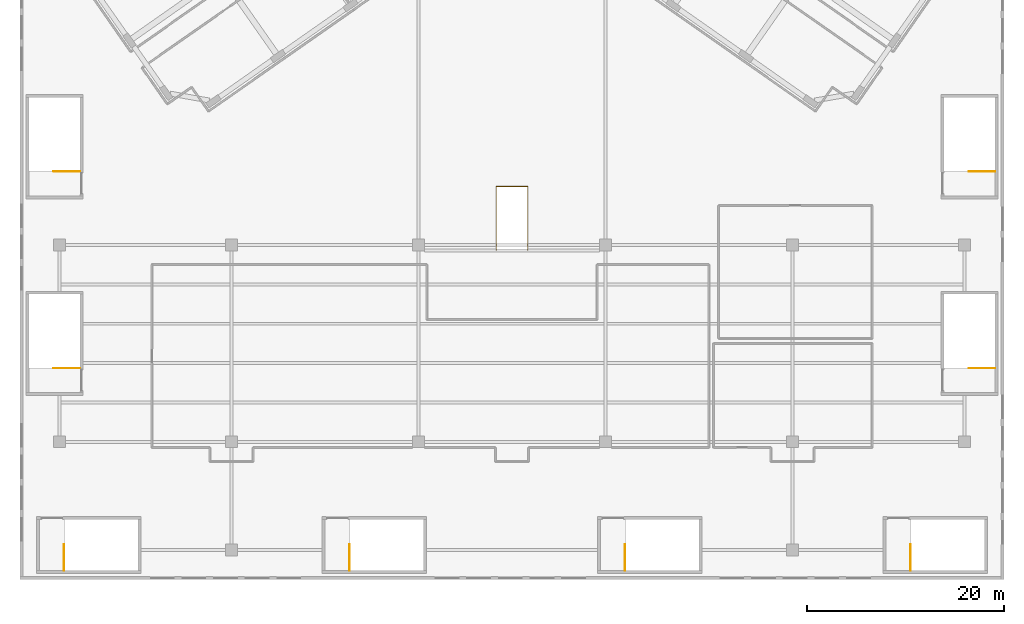
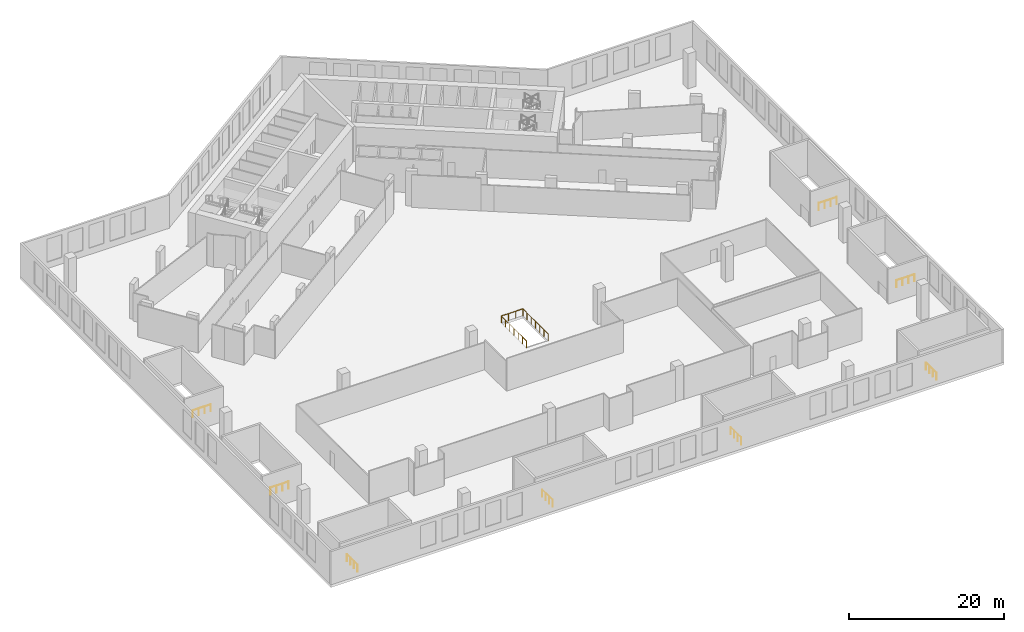
# One storey, part 13 of 15: 9 railings.
"""IFC4 building model written with IfcOpenShell, lengths in metres."""

from ifc_helpers import new_model, si_unit, direction, frame, origin, origin_2d, place, context, subcontext, project, spatial, circle, extrude, material, type_object, element, save


model = new_model("IFC4")

# Units and contexts
model_context = context("Model", 3, precision=1e-05, world=origin(), true_north=direction((0.0, 1.0)))
body_context = subcontext(model_context, "Body", "Model", "MODEL_VIEW")
ifc_project = project(units=[si_unit("LENGTHUNIT", "METRE"), si_unit("AREAUNIT", "SQUARE_METRE"), si_unit("VOLUMEUNIT", "CUBIC_METRE"), si_unit("PLANEANGLEUNIT", "RADIAN"), si_unit("MASSUNIT", "GRAM", prefix="KILO")], contexts=[model_context])

# Site, building, storey
site_placement = place(None, origin())
site = spatial("IfcSite", under=ifc_project, at=site_placement, CompositionType="ELEMENT")
building_placement = place(site_placement, origin())
building = spatial("IfcBuilding", under=site, at=building_placement, Name="Tel Ilan Convention Tower", CompositionType="ELEMENT")
storey_placement = place(building_placement, frame((0.0, 0.0, 43.0)))
storey = spatial("IfcBuildingStorey", under=building, at=storey_placement, Name="L06", CompositionType="ELEMENT", Elevation=43.0)

# Railings
ifc_material_1 = material(Name="Stainless Steel Grade 316", Category="steel")
railing_type_1 = type_object("IfcRailingType", Name="Stainless Steel Escalator Opening Guard 1100 mm", PredefinedType="GUARDRAIL", material=ifc_material_1)
railing_placement = place(storey_placement, frame((-1.60009765625, -48.535888671875, 0.0)))
element("IfcRailing", 1, at=railing_placement, inside=storey, type_object=railing_type_1, Name="L06 escalator opening guard", PredefinedType="GUARDRAIL", context=body_context, shape_type="SweptSolid", body=[
    extrude(circle(Radius=0.02392578125, at=origin_2d()), frame((0.0, 0.0, 1.076171875), z_axis=(0.0, 1.0, 0.0), x_axis=(-1.0, 0.0, 0.0)), (0.0, 0.0, 1.0), 6.5),
    extrude(circle(Radius=0.02392578125, at=origin_2d()), frame((0.0, 6.5, 1.076171875), z_axis=(1.0, 0.0, 0.0), x_axis=(0.0, 1.0, 0.0)), (0.0, 0.0, 1.0), 3.2001953125),
    extrude(circle(Radius=0.02392578125, at=origin_2d()), frame((3.2001953125, 6.5, 1.076171875), z_axis=(0.0, -1.0, 0.0), x_axis=(1.0, 0.0, 0.0)), (0.0, 0.0, 1.0), 6.5),
    extrude(circle(Radius=0.02099609375, at=origin_2d()), origin(), (0.0, 0.0, 1.0), 1.052001953125),
    extrude(circle(Radius=0.02099609375, at=origin_2d()), frame((0.0, 1.083251953125, 0.0)), (0.0, 0.0, 1.0), 1.052001953125),
    extrude(circle(Radius=0.02099609375, at=origin_2d()), frame((0.0, 2.166748046875, 0.0)), (0.0, 0.0, 1.0), 1.052001953125),
    extrude(circle(Radius=0.02099609375, at=origin_2d()), frame((0.0, 3.25, 0.0)), (0.0, 0.0, 1.0), 1.052001953125),
    extrude(circle(Radius=0.02099609375, at=origin_2d()), frame((0.0, 4.333251953125, 0.0)), (0.0, 0.0, 1.0), 1.052001953125),
    extrude(circle(Radius=0.02099609375, at=origin_2d()), frame((0.0, 5.416748046875, 0.0)), (0.0, 0.0, 1.0), 1.052001953125),
    extrude(circle(Radius=0.02099609375, at=origin_2d()), frame((0.0, 6.5, 0.0)), (0.0, 0.0, 1.0), 1.052001953125),
    extrude(circle(Radius=0.02099609375, at=origin_2d()), frame((1.066650390625, 6.5, 0.0)), (0.0, 0.0, 1.0), 1.052001953125),
    extrude(circle(Radius=0.02099609375, at=origin_2d()), frame((2.133544921875, 6.5, 0.0)), (0.0, 0.0, 1.0), 1.052001953125),
    extrude(circle(Radius=0.02099609375, at=origin_2d()), frame((3.2001953125, 6.5, 0.0)), (0.0, 0.0, 1.0), 1.052001953125),
    extrude(circle(Radius=0.02099609375, at=origin_2d()), frame((3.2001953125, 5.416748046875, 0.0)), (0.0, 0.0, 1.0), 1.052001953125),
    extrude(circle(Radius=0.02099609375, at=origin_2d()), frame((3.2001953125, 4.333251953125, 0.0)), (0.0, 0.0, 1.0), 1.052001953125),
    extrude(circle(Radius=0.02099609375, at=origin_2d()), frame((3.2001953125, 3.25, 0.0)), (0.0, 0.0, 1.0), 1.052001953125),
    extrude(circle(Radius=0.02099609375, at=origin_2d()), frame((3.2001953125, 2.166748046875, 0.0)), (0.0, 0.0, 1.0), 1.052001953125),
    extrude(circle(Radius=0.02099609375, at=origin_2d()), frame((3.2001953125, 1.083251953125, 0.0)), (0.0, 0.0, 1.0), 1.052001953125),
    extrude(circle(Radius=0.02099609375, at=origin_2d()), frame((3.2001953125, 0.0, 0.0)), (0.0, 0.0, 1.0), 1.052001953125),
])
ifc_material_2 = material(Name="Stainless Steel Grade 316", Category="steel")
railing_type_2 = type_object("IfcRailingType", Name="Stainless Steel Stair Guard 1100 mm", PredefinedType="GUARDRAIL", material=ifc_material_2)
for number, where, name in (
    (2, (-45.52490234375, -81.10009765625, 0.0), "L06 P1 top well guard 1"),
    (3, (-16.52490234375, -81.10009765625, 0.0), "L06 P2 top well guard 1"),
    (4, (11.47509765625, -81.10009765625, 0.0), "L06 P3 top well guard 1"),
    (5, (40.47509765625, -81.10009765625, 0.0), "L06 P4 top well guard 1"),
):
    element("IfcRailing", number, at=place(storey_placement, frame(where)), inside=storey, type_object=railing_type_2, Name=name, PredefinedType="GUARDRAIL", context=body_context, shape_type="SweptSolid", body=[
        extrude(circle(Radius=0.02392578125, at=origin_2d()), frame((0.0, 0.0, 1.076171875), z_axis=(0.0, 1.0, 0.0), x_axis=(-1.0, 0.0, 0.0)), (0.0, 0.0, 1.0), 2.675048828125),
        extrude(circle(Radius=0.02099609375, at=origin_2d()), origin(), (0.0, 0.0, 1.0), 1.052001953125),
        extrude(circle(Radius=0.02099609375, at=origin_2d()), frame((0.0, 0.8916015625, 0.0)), (0.0, 0.0, 1.0), 1.052001953125),
        extrude(circle(Radius=0.02099609375, at=origin_2d()), frame((0.0, 1.783447265625, 0.0)), (0.0, 0.0, 1.0), 1.052001953125),
        extrude(circle(Radius=0.02099609375, at=origin_2d()), frame((0.0, 2.675048828125, 0.0)), (0.0, 0.0, 1.0), 1.052001953125),
    ])
for number, where, name in (
    (6, (-43.89990234375, -60.52490234375, 0.0), "L06 P5 top well guard 1"),
    (7, (49.10009765625, -60.52490234375, 0.0), "L06 P6 top well guard 1"),
    (8, (-43.89990234375, -40.52490234375, 0.0), "L06 P7 top well guard 1"),
    (9, (49.10009765625, -40.52490234375, 0.0), "L06 P8 top well guard 1"),
):
    element("IfcRailing", number, at=place(storey_placement, frame(where)), inside=storey, type_object=railing_type_2, Name=name, PredefinedType="GUARDRAIL", context=body_context, shape_type="SweptSolid", body=[
        extrude(circle(Radius=0.02392578125, at=origin_2d()), frame((0.0, 0.0, 1.076171875), z_axis=(-1.0, 0.0, 0.0), x_axis=(0.0, -1.0, 0.0)), (0.0, 0.0, 1.0), 2.675048828125),
        extrude(circle(Radius=0.02099609375, at=origin_2d()), origin(), (0.0, 0.0, 1.0), 1.052001953125),
        extrude(circle(Radius=0.02099609375, at=origin_2d()), frame((-0.8916015625, 0.0, 0.0)), (0.0, 0.0, 1.0), 1.052001953125),
        extrude(circle(Radius=0.02099609375, at=origin_2d()), frame((-1.783447265625, 0.0, 0.0)), (0.0, 0.0, 1.0), 1.052001953125),
        extrude(circle(Radius=0.02099609375, at=origin_2d()), frame((-2.675048828125, 0.0, 0.0)), (0.0, 0.0, 1.0), 1.052001953125),
    ])

save(model, "model.ifc")
